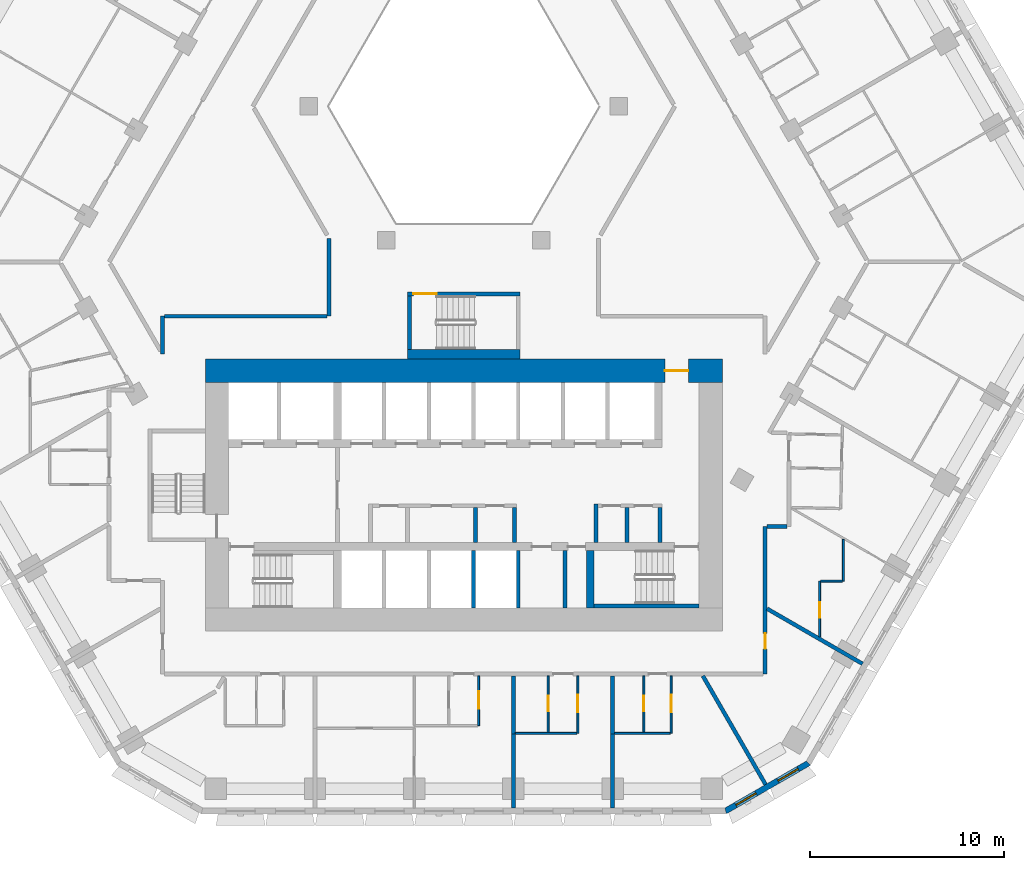
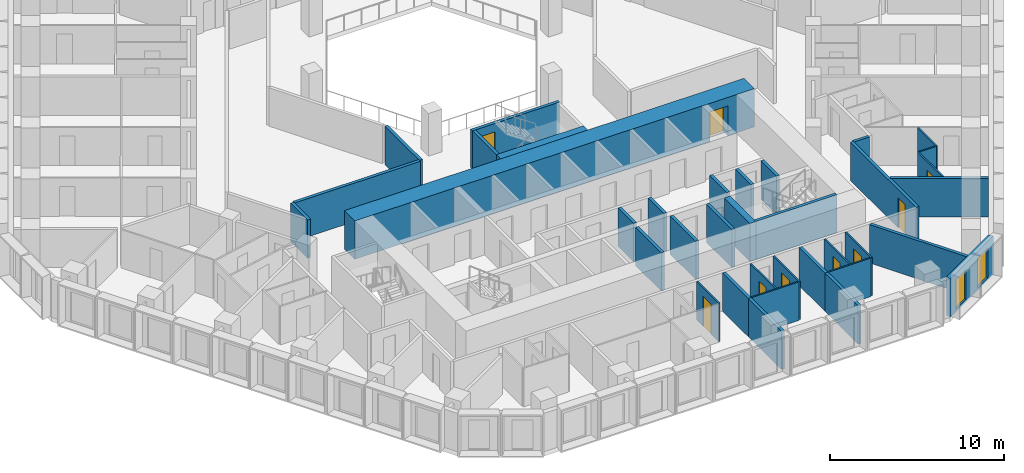
# One storey, part 6 of 21: 36 walls, 9 doors, 2 windows, 11 openings.
"""IFC4 building model written with IfcOpenShell, lengths in metres."""

from ifc_helpers import new_model, si_unit, direction, frame, frame_2d, origin, place, context, subcontext, project, spatial, polyline, rectangle, outline, extrude, material, layer, layer_set, type_object, element, fill, save


model = new_model("IFC4")

# Units and contexts
model_context = context("Model", 3, precision=1e-05, world=origin(), true_north=direction((0.0, 1.0)))
body_context = subcontext(model_context, "Body", "Model", "MODEL_VIEW")
ifc_project = project(units=[si_unit("LENGTHUNIT", "METRE"), si_unit("AREAUNIT", "SQUARE_METRE"), si_unit("VOLUMEUNIT", "CUBIC_METRE"), si_unit("PLANEANGLEUNIT", "RADIAN"), si_unit("MASSUNIT", "GRAM", prefix="KILO")], contexts=[model_context])

# Site, building, storey
site_placement = place(None, origin())
site = spatial("IfcSite", under=ifc_project, at=site_placement, CompositionType="ELEMENT")
building_placement = place(site_placement, origin())
building = spatial("IfcBuilding", under=site, at=building_placement, Name="Beryl Residences", CompositionType="ELEMENT")
storey_placement = place(building_placement, frame((0.0, 0.0, 29.39990234375)))
storey = spatial("IfcBuildingStorey", under=building, at=storey_placement, Name="L08", CompositionType="ELEMENT", Elevation=29.39990234375)

# Wall, openings, windows
ifc_material_1 = material(Name="Composite metal panel with mineral wool insulation")
ifc_layer_1 = layer(ifc_material_1, 0.300048828125)
ifc_layer_set_1 = layer_set([ifc_layer_1], Name="ES1 pale metal composite panel wall 300 mm")
wall_type_1 = type_object("IfcWallType", Name="ES1 pale metal composite panel wall 300 mm", PredefinedType="SOLIDWALL", material=ifc_layer_set_1)
wall_1_placement = place(storey_placement, frame((13.43505859375, -28.27001953125, 0.0), z_axis=(0.0, 0.0, 1.0), x_axis=(0.866010750942, 0.50002537861, 0.0)))
wall_1 = element("IfcWall", 1, at=wall_1_placement, inside=storey, type_object=wall_type_1, Name="ES1 external wall L08 S-SE", PredefinedType="SOLIDWALL", context=body_context, shape_type="SweptSolid", body=[
    extrude(outline(polyline([(0.0, -0.14990234375), (4.999755859375, -0.14990234375), (4.91943359375, 0.14990234375), (0.080322265625, 0.14990234375), (0.0, -0.14990234375)])), origin(), (0.0, 0.0, 1.0), 2.7001953125),
])
opening_1_placement = place(wall_1_placement, frame((0.64990234375, 0.0, 0.14990234375)))
opening_1 = element("IfcOpeningElement", 2, at=opening_1_placement, cuts=wall_1, Name="Opening W2", PredefinedType="OPENING", context=body_context, shape_type="SweptSolid", body=[
    extrude(rectangle(XDim=1.199951171875, YDim=2.10009765625, at=frame_2d((0.60009765625, 1.050048828125))), frame((0.0, 0.159912109375, 0.0), z_axis=(0.0, -1.0, 0.0), x_axis=(1.0, 0.0, 0.0)), (0.0, 0.0, 1.0), 0.320068359375),
])
opening_2_placement = place(wall_1_placement, frame((3.14892578125, 0.0, 0.14990234375)))
opening_2 = element("IfcOpeningElement", 3, at=opening_2_placement, cuts=wall_1, Name="Opening W2", PredefinedType="OPENING", context=body_context, shape_type="SweptSolid", body=[
    extrude(rectangle(XDim=1.199951171875, YDim=2.10009765625, at=frame_2d((0.60009765625, 1.050048828125))), frame((0.0, 0.159912109375, 0.0), z_axis=(0.0, -1.0, 0.0), x_axis=(1.0, 0.0, 0.0)), (0.0, 0.0, 1.0), 0.320068359375),
])
ifc_material_2 = material(Name="Aluminium and clear glass", Category="aluminium")
window_type = type_object("IfcWindowType", Name="W2 chamfer window 1200 x 2100 mm", PartitioningType="SINGLE_PANEL", PredefinedType="WINDOW", material=ifc_material_2)
window_1_placement = place(opening_1_placement, origin())
window_1 = element("IfcWindow", 4, at=window_1_placement, inside=storey, type_object=window_type, Name="W2 window L08 S-SE 1", OverallHeight=2.10009765625, OverallWidth=1.199951171875, PartitioningType="SINGLE_PANEL", PredefinedType="WINDOW", context=body_context, shape_type="SweptSolid", body=[
    extrude(rectangle(XDim=1.199951171875, YDim=2.10009765625, at=frame_2d((0.60009765625, 1.050048828125))), frame((0.0, 0.030029296875, 0.0), z_axis=(0.0, -1.0, 0.0), x_axis=(1.0, 0.0, 0.0)), (0.0, 0.0, 1.0), 0.06005859375),
])
fill(opening_1, window_1)
window_2_placement = place(opening_2_placement, origin())
window_2 = element("IfcWindow", 5, at=window_2_placement, inside=storey, type_object=window_type, Name="W2 window L08 S-SE 2", OverallHeight=2.10009765625, OverallWidth=1.199951171875, PartitioningType="SINGLE_PANEL", PredefinedType="WINDOW", context=body_context, shape_type="SweptSolid", body=[
    extrude(rectangle(XDim=1.199951171875, YDim=2.10009765625, at=frame_2d((0.60009765625, 1.050048828125))), frame((0.0, 0.030029296875, 0.0), z_axis=(0.0, -1.0, 0.0), x_axis=(1.0, 0.0, 0.0)), (0.0, 0.0, 1.0), 0.06005859375),
])
fill(opening_2, window_2)

# Walls
ifc_material_3 = material(Name="Gypsum board partition on steel studs", Category="steel")
ifc_layer_2 = layer(ifc_material_3, 0.10009765625)
ifc_layer_set_2 = layer_set([ifc_layer_2], Name="PT1 partition 100 mm gypsum board on steel studs")
wall_type_2 = type_object("IfcWallType", Name="PT1 partition 100 mm gypsum board on steel studs", PredefinedType="PARTITIONING", material=ifc_layer_set_2)
wall_2_placement = place(storey_placement, frame((18.35009765625, -16.424072265625, 0.0), z_axis=(0.0, 0.0, 1.0), x_axis=(1.0, 0.0, 0.0)))
element("IfcWall", 6, at=wall_2_placement, inside=storey, type_object=wall_type_2, Name="Wall PT1 L08 026", PredefinedType="PARTITIONING", context=body_context, shape_type="SweptSolid", body=[
    extrude(rectangle(XDim=1.126953125, YDim=0.10009765625, at=frame_2d((0.5634765625, 0.0))), origin(), (0.0, 0.0, 1.0), 2.7001953125),
])
wall_3_placement = place(storey_placement, frame((2.653076171875, -24.260009765625, 0.0), z_axis=(0.0, 0.0, 1.0), x_axis=(1.0, 0.0, 0.0)))
element("IfcWall", 7, at=wall_3_placement, inside=storey, type_object=wall_type_2, Name="Wall PT1 L08 030", PredefinedType="PARTITIONING", context=body_context, shape_type="SweptSolid", body=[
    extrude(rectangle(XDim=3.1669921875, YDim=0.10009765625, at=frame_2d((1.58349609375, 0.0))), origin(), (0.0, 0.0, 1.0), 2.7001953125),
])
wall_4_placement = place(storey_placement, frame((7.757080078125, -24.260009765625, 0.0), z_axis=(0.0, 0.0, 1.0), x_axis=(1.0, 0.0, 0.0)))
element("IfcWall", 8, at=wall_4_placement, inside=storey, type_object=wall_type_2, Name="Wall PT1 L08 031", PredefinedType="PARTITIONING", context=body_context, shape_type="SweptSolid", body=[
    extrude(rectangle(XDim=2.85791015625, YDim=0.10009765625, at=frame_2d((1.428955078125, 0.0))), origin(), (0.0, 0.0, 1.0), 2.7001953125),
])

# Wall, opening, door
wall_5_placement = place(storey_placement, frame((4.339111328125, -24.2099609375, 0.0), z_axis=(0.0, 0.0, 1.0), x_axis=(0.0, 1.0, 0.0)))
wall_5 = element("IfcWall", 9, at=wall_5_placement, inside=storey, type_object=wall_type_2, Name="Wall PT1 L08 043", PredefinedType="PARTITIONING", context=body_context, shape_type="SweptSolid", body=[
    extrude(rectangle(XDim=2.909912109375, YDim=0.10009765625, at=frame_2d((1.455078125, 0.0))), origin(), (0.0, 0.0, 1.0), 2.7001953125),
])
opening_3_placement = place(wall_5_placement, frame((1.080078125, 0.0, 0.0)))
opening_3 = element("IfcOpeningElement", 10, at=opening_3_placement, cuts=wall_5, Name="Opening D0111", PredefinedType="OPENING", context=body_context, shape_type="SweptSolid", body=[
    extrude(rectangle(XDim=0.800048828125, YDim=2.10009765625, at=frame_2d((0.39990234375, 1.050048828125))), frame((0.0, 0.06005859375, 0.0), z_axis=(0.0, -1.0, 0.0), x_axis=(1.0, 0.0, 0.0)), (0.0, 0.0, 1.0), 0.1201171875),
])
ifc_material_4 = material(Name="Timber door leaf", Category="wood")
door_type_1 = type_object("IfcDoorType", Name="D3 bathroom door 800 x 2100 mm", OperationType="SINGLE_SWING_LEFT", PredefinedType="DOOR", material=ifc_material_4)
door_1_placement = place(opening_3_placement, origin())
door_1 = element("IfcDoor", 11, at=door_1_placement, inside=storey, type_object=door_type_1, Name="Door D0111 L08 001", OperationType="SINGLE_SWING_LEFT", OverallHeight=2.10009765625, OverallWidth=0.800048828125, PredefinedType="DOOR", context=body_context, shape_type="SweptSolid", body=[
    extrude(rectangle(XDim=0.800048828125, YDim=2.10009765625, at=frame_2d((0.39990234375, 1.050048828125))), frame((0.0, 0.02490234375, 0.0), z_axis=(0.0, -1.0, 0.0), x_axis=(1.0, 0.0, 0.0)), (0.0, 0.0, 1.0), 0.050048828125),
])
fill(opening_3, door_1)

wall_6_placement = place(storey_placement, frame((5.87109375, -24.259033203125, 0.0), z_axis=(0.0, 0.0, 1.0), x_axis=(0.0, 1.0, 0.0)))
wall_6 = element("IfcWall", 12, at=wall_6_placement, inside=storey, type_object=wall_type_2, Name="Wall PT1 L08 044", PredefinedType="PARTITIONING", context=body_context, shape_type="SweptSolid", body=[
    extrude(rectangle(XDim=2.958984375, YDim=0.10009765625, at=frame_2d((1.4794921875, 0.0))), origin(), (0.0, 0.0, 1.0), 2.7001953125),
])
opening_4_placement = place(wall_6_placement, frame((1.0791015625, 0.0, 0.0)))
opening_4 = element("IfcOpeningElement", 13, at=opening_4_placement, cuts=wall_6, Name="Opening D0110", PredefinedType="OPENING", context=body_context, shape_type="SweptSolid", body=[
    extrude(rectangle(XDim=0.89990234375, YDim=2.10009765625, at=frame_2d((0.449951171875, 1.050048828125))), frame((0.0, 0.06005859375, 0.0), z_axis=(0.0, -1.0, 0.0), x_axis=(1.0, 0.0, 0.0)), (0.0, 0.0, 1.0), 0.1201171875),
])
ifc_material_5 = material(Name="Timber door leaf", Category="wood")
door_type_2 = type_object("IfcDoorType", Name="D2 room door 900 x 2100 mm", OperationType="SINGLE_SWING_LEFT", PredefinedType="DOOR", material=ifc_material_5)
door_2_placement = place(opening_4_placement, origin())
door_2 = element("IfcDoor", 14, at=door_2_placement, inside=storey, type_object=door_type_2, Name="Door D0110 L08 001", OperationType="SINGLE_SWING_RIGHT", OverallHeight=2.10009765625, OverallWidth=0.89990234375, PredefinedType="DOOR", context=body_context, shape_type="SweptSolid", body=[
    extrude(rectangle(XDim=0.89990234375, YDim=2.10009765625, at=frame_2d((0.449951171875, 1.050048828125))), frame((0.0, 0.02490234375, 0.0), z_axis=(0.0, -1.0, 0.0), x_axis=(1.0, 0.0, 0.0)), (0.0, 0.0, 1.0), 0.050048828125),
])
fill(opening_4, door_2)

wall_7_placement = place(storey_placement, frame((0.76708984375, -23.85888671875, 0.0), z_axis=(0.0, 0.0, 1.0), x_axis=(0.0, 1.0, 0.0)))
wall_7 = element("IfcWall", 15, at=wall_7_placement, inside=storey, type_object=wall_type_2, Name="Wall PT1 L08 048", PredefinedType="PARTITIONING", context=body_context, shape_type="SweptSolid", body=[
    extrude(rectangle(XDim=2.558837890625, YDim=0.10009765625, at=frame_2d((1.279296875, 0.0))), origin(), (0.0, 0.0, 1.0), 2.7001953125),
])
opening_5_placement = place(wall_7_placement, frame((0.87890625, 0.0, 0.0)))
opening_5 = element("IfcOpeningElement", 16, at=opening_5_placement, cuts=wall_7, Name="Opening D0105", PredefinedType="OPENING", context=body_context, shape_type="SweptSolid", body=[
    extrude(rectangle(XDim=0.89990234375, YDim=2.10009765625, at=frame_2d((0.449951171875, 1.050048828125))), frame((0.0, 0.06005859375, 0.0), z_axis=(0.0, -1.0, 0.0), x_axis=(1.0, 0.0, 0.0)), (0.0, 0.0, 1.0), 0.1201171875),
])
door_3_placement = place(opening_5_placement, origin())
door_3 = element("IfcDoor", 17, at=door_3_placement, inside=storey, type_object=door_type_2, Name="Door D0105 L08 001", OperationType="SINGLE_SWING_LEFT", OverallHeight=2.10009765625, OverallWidth=0.89990234375, PredefinedType="DOOR", context=body_context, shape_type="SweptSolid", body=[
    extrude(rectangle(XDim=0.89990234375, YDim=2.10009765625, at=frame_2d((0.449951171875, 1.050048828125))), frame((0.0, 0.02490234375, 0.0), z_axis=(0.0, -1.0, 0.0), x_axis=(1.0, 0.0, 0.0)), (0.0, 0.0, 1.0), 0.050048828125),
])
fill(opening_5, door_3)

wall_8_placement = place(storey_placement, frame((9.26611328125, -24.2099609375, 0.0), z_axis=(0.0, 0.0, 1.0), x_axis=(0.0, 1.0, 0.0)))
wall_8 = element("IfcWall", 18, at=wall_8_placement, inside=storey, type_object=wall_type_2, Name="Wall PT1 L08 049", PredefinedType="PARTITIONING", context=body_context, shape_type="SweptSolid", body=[
    extrude(rectangle(XDim=2.909912109375, YDim=0.10009765625, at=frame_2d((1.455078125, 0.0))), origin(), (0.0, 0.0, 1.0), 2.7001953125),
])
opening_6_placement = place(wall_8_placement, frame((1.080078125, 0.0, 0.0)))
opening_6 = element("IfcOpeningElement", 19, at=opening_6_placement, cuts=wall_8, Name="Opening D0114", PredefinedType="OPENING", context=body_context, shape_type="SweptSolid", body=[
    extrude(rectangle(XDim=0.800048828125, YDim=2.10009765625, at=frame_2d((0.39990234375, 1.050048828125))), frame((0.0, 0.06005859375, 0.0), z_axis=(0.0, -1.0, 0.0), x_axis=(1.0, 0.0, 0.0)), (0.0, 0.0, 1.0), 0.1201171875),
])
door_4_placement = place(opening_6_placement, origin())
door_4 = element("IfcDoor", 20, at=door_4_placement, inside=storey, type_object=door_type_1, Name="Door D0114 L08 001", OperationType="SINGLE_SWING_RIGHT", OverallHeight=2.10009765625, OverallWidth=0.800048828125, PredefinedType="DOOR", context=body_context, shape_type="SweptSolid", body=[
    extrude(rectangle(XDim=0.800048828125, YDim=2.10009765625, at=frame_2d((0.39990234375, 1.050048828125))), frame((0.0, 0.02490234375, 0.0), z_axis=(0.0, -1.0, 0.0), x_axis=(1.0, 0.0, 0.0)), (0.0, 0.0, 1.0), 0.050048828125),
])
fill(opening_6, door_4)

wall_9_placement = place(storey_placement, frame((10.666015625, -24.259033203125, 0.0), z_axis=(0.0, 0.0, 1.0), x_axis=(0.0, 1.0, 0.0)))
wall_9 = element("IfcWall", 21, at=wall_9_placement, inside=storey, type_object=wall_type_2, Name="Wall PT1 L08 050", PredefinedType="PARTITIONING", context=body_context, shape_type="SweptSolid", body=[
    extrude(rectangle(XDim=2.958984375, YDim=0.10009765625, at=frame_2d((1.4794921875, 0.0))), origin(), (0.0, 0.0, 1.0), 2.7001953125),
])
opening_7_placement = place(wall_9_placement, frame((1.0791015625, 0.0, 0.0)))
opening_7 = element("IfcOpeningElement", 22, at=opening_7_placement, cuts=wall_9, Name="Opening D0113", PredefinedType="OPENING", context=body_context, shape_type="SweptSolid", body=[
    extrude(rectangle(XDim=0.89990234375, YDim=2.10009765625, at=frame_2d((0.449951171875, 1.050048828125))), frame((0.0, 0.06005859375, 0.0), z_axis=(0.0, -1.0, 0.0), x_axis=(1.0, 0.0, 0.0)), (0.0, 0.0, 1.0), 0.1201171875),
])
door_5_placement = place(opening_7_placement, origin())
door_5 = element("IfcDoor", 23, at=door_5_placement, inside=storey, type_object=door_type_2, Name="Door D0113 L08 001", OperationType="SINGLE_SWING_LEFT", OverallHeight=2.10009765625, OverallWidth=0.89990234375, PredefinedType="DOOR", context=body_context, shape_type="SweptSolid", body=[
    extrude(rectangle(XDim=0.89990234375, YDim=2.10009765625, at=frame_2d((0.449951171875, 1.050048828125))), frame((0.0, 0.02490234375, 0.0), z_axis=(0.0, -1.0, 0.0), x_axis=(1.0, 0.0, 0.0)), (0.0, 0.0, 1.0), 0.050048828125),
])
fill(opening_7, door_5)

wall_10_placement = place(storey_placement, frame((18.300048828125, -19.2890625, 0.0), z_axis=(0.0, 0.0, 1.0), x_axis=(0.0, 1.0, 0.0)))
wall_10 = element("IfcWall", 24, at=wall_10_placement, inside=storey, type_object=wall_type_2, Name="Wall PT1 L08 051", PredefinedType="PARTITIONING", context=body_context, shape_type="SweptSolid", body=[
    extrude(rectangle(XDim=2.864990234375, YDim=0.10009765625, at=frame_2d((1.4326171875, 0.0))), origin(), (0.0, 0.0, 1.0), 2.7001953125),
])
opening_8_placement = place(wall_10_placement, frame((0.97509765625, 0.0, 0.0)))
opening_8 = element("IfcOpeningElement", 25, at=opening_8_placement, cuts=wall_10, Name="Opening D0121", PredefinedType="OPENING", context=body_context, shape_type="SweptSolid", body=[
    extrude(rectangle(XDim=0.800048828125, YDim=2.10009765625, at=frame_2d((0.39990234375, 1.050048828125))), frame((0.0, 0.06005859375, 0.0), z_axis=(0.0, -1.0, 0.0), x_axis=(1.0, 0.0, 0.0)), (0.0, 0.0, 1.0), 0.1201171875),
])
door_6_placement = place(opening_8_placement, origin())
door_6 = element("IfcDoor", 26, at=door_6_placement, inside=storey, type_object=door_type_1, Name="Door D0121 L08 001", OperationType="SINGLE_SWING_LEFT", OverallHeight=2.10009765625, OverallWidth=0.800048828125, PredefinedType="DOOR", context=body_context, shape_type="SweptSolid", body=[
    extrude(rectangle(XDim=0.800048828125, YDim=2.10009765625, at=frame_2d((0.39990234375, 1.050048828125))), frame((0.0, 0.02490234375, 0.0), z_axis=(0.0, -1.0, 0.0), x_axis=(1.0, 0.0, 0.0)), (0.0, 0.0, 1.0), 0.050048828125),
])
fill(opening_8, door_6)

# Walls
wall_11_placement = place(storey_placement, frame((19.528076171875, -16.423095703125, 0.0), z_axis=(0.0, 0.0, 1.0), x_axis=(0.0, 1.0, 0.0)))
element("IfcWall", 27, at=wall_11_placement, inside=storey, type_object=wall_type_2, Name="Wall PT1 L08 052", PredefinedType="PARTITIONING", context=body_context, shape_type="SweptSolid", body=[
    extrude(rectangle(XDim=2.14599609375, YDim=0.10009765625, at=frame_2d((1.072998046875, 0.0))), origin(), (0.0, 0.0, 1.0), 2.7001953125),
])
ifc_material_6 = material(Name="Concrete masonry", Category="masonry")
ifc_layer_3 = layer(ifc_material_6, 0.199951171875)
ifc_layer_set_3 = layer_set([ifc_layer_3], Name="PT13 lobby wall 200 mm")
wall_type_3 = type_object("IfcWallType", Name="PT13 lobby wall 200 mm", PredefinedType="PARTITIONING", material=ifc_layer_set_3)
wall_12_placement = place(storey_placement, frame((2.60009765625, -14.449951171875, 0.0), z_axis=(0.0, 0.0, 1.0), x_axis=(0.0, 1.0, 0.0)))
element("IfcWall", 28, at=wall_12_placement, inside=storey, type_object=wall_type_3, Name="Lobby wall 17", PredefinedType="PARTITIONING", context=body_context, shape_type="SweptSolid", body=[
    extrude(rectangle(XDim=1.800048828125, YDim=0.199951171875, at=frame_2d((0.89990234375, 0.0))), origin(), (0.0, 0.0, 1.0), 2.7001953125),
])
wall_13_placement = place(storey_placement, frame((6.800048828125, -14.449951171875, 0.0), z_axis=(0.0, 0.0, 1.0), x_axis=(0.0, 1.0, 0.0)))
element("IfcWall", 29, at=wall_13_placement, inside=storey, type_object=wall_type_3, Name="Lobby wall 23", PredefinedType="PARTITIONING", context=body_context, shape_type="SweptSolid", body=[
    extrude(rectangle(XDim=2.0, YDim=0.199951171875, at=frame_2d((1.0, 0.0))), origin(), (0.0, 0.0, 1.0), 2.7001953125),
])
wall_14_placement = place(storey_placement, frame((10.10009765625, -14.449951171875, 0.0), z_axis=(0.0, 0.0, 1.0), x_axis=(0.0, 1.0, 0.0)))
element("IfcWall", 30, at=wall_14_placement, inside=storey, type_object=wall_type_3, Name="Lobby wall 27", PredefinedType="PARTITIONING", context=body_context, shape_type="SweptSolid", body=[
    extrude(rectangle(XDim=1.800048828125, YDim=0.199951171875, at=frame_2d((0.89990234375, 0.0))), origin(), (0.0, 0.0, 1.0), 2.7001953125),
])
ifc_material_7 = material(Name="Acoustic double stud gypsum board wall")
ifc_layer_4 = layer(ifc_material_7, 0.199951171875)
ifc_layer_set_4 = layer_set([ifc_layer_4], Name="PT3 party wall 200 mm acoustic double stud")
wall_type_4 = type_object("IfcWallType", Name="PT3 party wall 200 mm acoustic double stud", PredefinedType="PARTITIONING", material=ifc_layer_set_4)
wall_15_placement = place(storey_placement, frame((12.297119140625, -21.300048828125, 0.0), z_axis=(0.0, 0.0, 1.0), x_axis=(0.500056399578, -0.865992839024, 0.0)))
element("IfcWall", 31, at=wall_15_placement, inside=storey, type_object=wall_type_4, Name="Wall PT3 L08 002", PredefinedType="PARTITIONING", context=body_context, shape_type="SweptSolid", body=[
    extrude(rectangle(XDim=6.454833984375, YDim=0.199951171875, at=frame_2d((3.2275390625, 0.0))), origin(), (0.0, 0.0, 1.0), 2.7001953125),
])
for number, where, z_axis, x_axis, name in (
    (32, (7.656982421875, -21.300048828125, 0.0), (0.0, 0.0, 1.0), (0.0, -1.0, 0.0), "Wall PT3 L08 006"),
    (33, (2.552978515625, -21.300048828125, 0.0), (0.0, 0.0, 1.0), (0.0, -1.0, 0.0), "Wall PT3 L08 007"),
):
    element("IfcWall", number, at=place(storey_placement, frame(where, z_axis=z_axis, x_axis=x_axis)), inside=storey, type_object=wall_type_4, Name=name, PredefinedType="PARTITIONING", context=body_context, shape_type="SweptSolid", body=[
        extrude(rectangle(XDim=2.97998046875, YDim=0.199951171875, at=frame_2d((1.489990234375, 0.0))), origin(), (0.0, 0.0, 1.0), 2.7001953125),
    ])
wall_16_placement = place(storey_placement, frame((15.60009765625, -17.845947265625, 0.0), z_axis=(0.0, 0.0, 1.0), x_axis=(0.866071523686, -0.499920109479, 0.0)))
element("IfcWall", 34, at=wall_16_placement, inside=storey, type_object=wall_type_4, Name="Wall PT3 L08 008", PredefinedType="PARTITIONING", context=body_context, shape_type="SweptSolid", body=[
    extrude(rectangle(XDim=5.6669921875, YDim=0.199951171875, at=frame_2d((2.83349609375, 0.0))), origin(), (0.0, 0.0, 1.0), 2.7001953125),
])
for number, where, z_axis, x_axis, name in (
    (35, (7.656982421875, -28.10009765625, 0.0), (0.0, 0.0, 1.0), (0.0, 1.0, 0.0), "Wall PT3 L08 016"),
    (36, (2.552978515625, -28.10009765625, 0.0), (0.0, 0.0, 1.0), (0.0, 1.0, 0.0), "Wall PT3 L08 017"),
):
    element("IfcWall", number, at=place(storey_placement, frame(where, z_axis=z_axis, x_axis=x_axis)), inside=storey, type_object=wall_type_4, Name=name, PredefinedType="PARTITIONING", context=body_context, shape_type="SweptSolid", body=[
        extrude(rectangle(XDim=3.860107421875, YDim=0.199951171875, at=frame_2d((1.93017578125, 0.0))), origin(), (0.0, 0.0, 1.0), 2.7001953125),
    ])
ifc_material_8 = material(Name="Double stud gypsum board wall")
ifc_layer_5 = layer(ifc_material_8, 0.199951171875)
ifc_layer_set_5 = layer_set([ifc_layer_5], Name="PT4 corridor wall 200 mm double stud")
wall_type_5 = type_object("IfcWallType", Name="PT4 corridor wall 200 mm double stud", PredefinedType="PARTITIONING", material=ifc_layer_set_5)
wall_17_placement = place(storey_placement, frame((15.60009765625, -13.6240234375, 0.0), z_axis=(0.0, 0.0, 1.0), x_axis=(1.0, 0.0, 0.0)))
element("IfcWall", 37, at=wall_17_placement, inside=storey, type_object=wall_type_5, Name="Wall PT4 L08 010", PredefinedType="PARTITIONING", context=body_context, shape_type="SweptSolid", body=[
    extrude(rectangle(XDim=1.02685546875, YDim=0.199951171875, at=frame_2d((0.513427734375, 0.0))), origin(), (0.0, 0.0, 1.0), 2.7001953125),
])
wall_18_placement = place(storey_placement, frame((-15.39990234375, -2.800048828125, 0.0), z_axis=(0.0, 0.0, 1.0), x_axis=(1.0, 0.0, 0.0)))
element("IfcWall", 38, at=wall_18_placement, inside=storey, type_object=wall_type_5, Name="Wall PT4 L08 013", PredefinedType="PARTITIONING", context=body_context, shape_type="SweptSolid", body=[
    extrude(rectangle(XDim=8.371826171875, YDim=0.199951171875, at=frame_2d((4.18603515625, 0.0))), origin(), (0.0, 0.0, 1.0), 2.7001953125),
])

# Wall, opening, door
wall_19_placement = place(storey_placement, frame((15.5, -21.198974609375, 0.0), z_axis=(0.0, 0.0, 1.0), x_axis=(0.0, 1.0, 0.0)))
wall_19 = element("IfcWall", 39, at=wall_19_placement, inside=storey, type_object=wall_type_5, Name="Wall PT4 L08 026", PredefinedType="PARTITIONING", context=body_context, shape_type="SweptSolid", body=[
    extrude(rectangle(XDim=7.574951171875, YDim=0.199951171875, at=frame_2d((3.78759765625, 0.0))), origin(), (0.0, 0.0, 1.0), 2.7001953125),
])
opening_9_placement = place(wall_19_placement, frame((1.2880859375, 0.0, 0.0)))
opening_9 = element("IfcOpeningElement", 40, at=opening_9_placement, cuts=wall_19, Name="Opening D0115", PredefinedType="OPENING", context=body_context, shape_type="SweptSolid", body=[
    extrude(rectangle(XDim=0.800048828125, YDim=2.10009765625, at=frame_2d((0.39990234375, 1.050048828125))), frame((0.0, 0.10986328125, 0.0), z_axis=(0.0, -1.0, 0.0), x_axis=(1.0, 0.0, 0.0)), (0.0, 0.0, 1.0), 0.219970703125),
])
door_7_placement = place(opening_9_placement, origin())
door_7 = element("IfcDoor", 41, at=door_7_placement, inside=storey, type_object=door_type_1, Name="Door D0115 L08 001", OperationType="SINGLE_SWING_LEFT", OverallHeight=2.10009765625, OverallWidth=0.800048828125, PredefinedType="DOOR", context=body_context, shape_type="SweptSolid", body=[
    extrude(rectangle(XDim=0.800048828125, YDim=2.10009765625, at=frame_2d((0.39990234375, 1.050048828125))), frame((0.0, 0.02490234375, 0.0), z_axis=(0.0, -1.0, 0.0), x_axis=(1.0, 0.0, 0.0)), (0.0, 0.0, 1.0), 0.050048828125),
])
fill(opening_9, door_7)

# Walls
wall_20_placement = place(storey_placement, frame((-6.927978515625, -2.800048828125, 0.0), z_axis=(0.0, 0.0, 1.0), x_axis=(0.0, 1.0, 0.0)))
element("IfcWall", 42, at=wall_20_placement, inside=storey, type_object=wall_type_5, Name="Wall PT4 L08 029", PredefinedType="PARTITIONING", context=body_context, shape_type="SweptSolid", body=[
    extrude(rectangle(XDim=4.0, YDim=0.199951171875, at=frame_2d((2.0, 0.0))), origin(), (0.0, 0.0, 1.0), 2.7001953125),
])
wall_21_placement = place(storey_placement, frame((-15.5, -4.75390625, 0.0), z_axis=(0.0, 0.0, 1.0), x_axis=(0.0, 1.0, 0.0)))
element("IfcWall", 43, at=wall_21_placement, inside=storey, type_object=wall_type_5, Name="Wall PT4 L08 031", PredefinedType="PARTITIONING", context=body_context, shape_type="SweptSolid", body=[
    extrude(rectangle(XDim=1.953857421875, YDim=0.199951171875, at=frame_2d((0.97705078125, 0.0))), origin(), (0.0, 0.0, 1.0), 2.7001953125),
])

# Wall, opening, door
ifc_material_9 = material(Name="Concrete C40/50", Category="concrete")
ifc_layer_6 = layer(ifc_material_9, 0.199951171875)
ifc_layer_set_6 = layer_set([ifc_layer_6], Name="PT5 stair enclosure wall 200 mm reinforced concrete C40/50")
wall_type_6 = type_object("IfcWallType", Name="PT5 stair enclosure wall 200 mm reinforced concrete C40/50", PredefinedType="SOLIDWALL", material=ifc_layer_set_6)
wall_22_placement = place(storey_placement, frame((-2.89990234375, -1.64990234375, 0.0), z_axis=(0.0, 0.0, 1.0), x_axis=(1.0, 0.0, 0.0)))
wall_22 = element("IfcWall", 44, at=wall_22_placement, inside=storey, type_object=wall_type_6, Name="Wall PT5 L08 001", PredefinedType="SOLIDWALL", context=body_context, shape_type="SweptSolid", body=[
    extrude(rectangle(XDim=5.7998046875, YDim=0.199951171875, at=frame_2d((2.89990234375, 0.0))), origin(), (0.0, 0.0, 1.0), 2.7001953125),
])
opening_10_placement = place(wall_22_placement, frame((0.300048828125, 0.0, 0.0)))
opening_10 = element("IfcOpeningElement", 45, at=opening_10_placement, cuts=wall_22, Name="Opening DS04", PredefinedType="OPENING", context=body_context, shape_type="SweptSolid", body=[
    extrude(rectangle(XDim=1.199951171875, YDim=2.10009765625, at=frame_2d((0.60009765625, 1.050048828125))), frame((0.0, 0.10986328125, 0.0), z_axis=(0.0, -1.0, 0.0), x_axis=(1.0, 0.0, 0.0)), (0.0, 0.0, 1.0), 0.219970703125),
])
ifc_material_10 = material(Name="Steel door leaf in steel frame", Category="steel")
door_type_3 = type_object("IfcDoorType", Name="D4 stair door 1200 x 2100 mm", OperationType="SINGLE_SWING_LEFT", PredefinedType="DOOR", material=ifc_material_10)
door_8_placement = place(opening_10_placement, origin())
door_8 = element("IfcDoor", 46, at=door_8_placement, inside=storey, type_object=door_type_3, Name="Door DS04 L08 001", OperationType="SINGLE_SWING_LEFT", OverallHeight=2.10009765625, OverallWidth=1.199951171875, PredefinedType="DOOR", context=body_context, shape_type="SweptSolid", body=[
    extrude(rectangle(XDim=1.199951171875, YDim=2.10009765625, at=frame_2d((0.60009765625, 1.050048828125))), frame((0.0, 0.02490234375, 0.0), z_axis=(0.0, -1.0, 0.0), x_axis=(1.0, 0.0, 0.0)), (0.0, 0.0, 1.0), 0.050048828125),
])
fill(opening_10, door_8)

# Walls
wall_23_placement = place(storey_placement, frame((-2.800048828125, -4.5, 0.0), z_axis=(0.0, 0.0, 1.0), x_axis=(0.0, 1.0, 0.0)))
element("IfcWall", 47, at=wall_23_placement, inside=storey, type_object=wall_type_6, Name="Wall PT5 L08 002", PredefinedType="SOLIDWALL", context=body_context, shape_type="SweptSolid", body=[
    extrude(rectangle(XDim=2.75, YDim=0.199951171875, at=frame_2d((1.375, 0.0))), origin(), (0.0, 0.0, 1.0), 2.7001953125),
])
wall_24_placement = place(storey_placement, frame((6.699951171875, -17.699951171875, 0.0), z_axis=(0.0, 0.0, 1.0), x_axis=(1.0, 0.0, 0.0)))
element("IfcWall", 48, at=wall_24_placement, inside=storey, type_object=wall_type_6, Name="Stair wall 22", PredefinedType="SOLIDWALL", context=body_context, shape_type="SweptSolid", body=[
    extrude(rectangle(XDim=5.400146484375, YDim=0.199951171875, at=frame_2d((2.7001953125, 0.0))), origin(), (0.0, 0.0, 1.0), 2.7001953125),
])
ifc_material_11 = material(Name="Concrete C40/50", Category="concrete")
ifc_layer_7 = layer(ifc_material_11, 0.5)
ifc_layer_set_7 = layer_set([ifc_layer_7], Name="PT5-500 stair enclosure wall 500 mm")
wall_type_7 = type_object("IfcWallType", Name="PT5-500 stair enclosure wall 500 mm", PredefinedType="SOLIDWALL", material=ifc_layer_set_7)
wall_25_placement = place(storey_placement, frame((-2.89990234375, -4.75, 0.0), z_axis=(0.0, 0.0, 1.0), x_axis=(1.0, 0.0, 0.0)))
element("IfcWall", 49, at=wall_25_placement, inside=storey, type_object=wall_type_7, Name="Wall PT5-500 L08 001", PredefinedType="SOLIDWALL", context=body_context, shape_type="SweptSolid", body=[
    extrude(rectangle(XDim=5.7998046875, YDim=0.5, at=frame_2d((2.89990234375, 0.0))), origin(), (0.0, 0.0, 1.0), 2.7001953125),
])
ifc_material_12 = material(Name="Concrete C40/50", Category="concrete")
ifc_layer_8 = layer(ifc_material_12, 0.199951171875)
ifc_layer_set_8 = layer_set([ifc_layer_8], Name="PT6 lift shaft wall 200 mm reinforced concrete C40/50")
wall_type_8 = type_object("IfcWallType", Name="PT6 lift shaft wall 200 mm reinforced concrete C40/50", PredefinedType="SOLIDWALL", material=ifc_layer_set_8)
for number, where, z_axis, x_axis, name in (
    (50, (0.5, -17.800048828125, 0.0), (0.0, 0.0, 1.0), (0.0, 1.0, 0.0), "Lift shaft wall 14"),
    (51, (2.800048828125, -17.800048828125, 0.0), (0.0, 0.0, 1.0), (0.0, 1.0, 0.0), "Lift shaft wall 18"),
):
    element("IfcWall", number, at=place(storey_placement, frame(where, z_axis=z_axis, x_axis=x_axis)), inside=storey, type_object=wall_type_8, Name=name, PredefinedType="SOLIDWALL", context=body_context, shape_type="SweptSolid", body=[
        extrude(rectangle(XDim=2.949951171875, YDim=0.199951171875, at=frame_2d((1.47509765625, 0.0))), origin(), (0.0, 0.0, 1.0), 2.7001953125),
    ])
ifc_material_13 = material(Name="Concrete masonry", Category="masonry")
ifc_layer_9 = layer(ifc_material_13, 0.199951171875)
ifc_layer_set_9 = layer_set([ifc_layer_9], Name="PT7-200 riser wall 200 mm")
wall_type_9 = type_object("IfcWallType", Name="PT7-200 riser wall 200 mm", PredefinedType="PARTITIONING", material=ifc_layer_set_9)
wall_26_placement = place(storey_placement, frame((5.199951171875, -17.800048828125, 0.0), z_axis=(0.0, 0.0, 1.0), x_axis=(0.0, 1.0, 0.0)))
element("IfcWall", 52, at=wall_26_placement, inside=storey, type_object=wall_type_9, Name="Riser wall 21", PredefinedType="PARTITIONING", context=body_context, shape_type="SweptSolid", body=[
    extrude(rectangle(XDim=2.949951171875, YDim=0.199951171875, at=frame_2d((1.47509765625, 0.0))), origin(), (0.0, 0.0, 1.0), 2.7001953125),
])
ifc_material_14 = material(Name="Concrete masonry", Category="masonry")
ifc_layer_10 = layer(ifc_material_14, 0.199951171875)
ifc_layer_set_10 = layer_set([ifc_layer_10], Name="PT8-200 service room wall 200 mm")
wall_type_10 = type_object("IfcWallType", Name="PT8-200 service room wall 200 mm", PredefinedType="PARTITIONING", material=ifc_layer_set_10)
for number, where, z_axis, x_axis, name in (
    (53, (0.60009765625, -14.449951171875, 0.0), (0.0, 0.0, 1.0), (0.0, 1.0, 0.0), "Core room wall 16"),
    (54, (8.39990234375, -14.449951171875, 0.0), (0.0, 0.0, 1.0), (0.0, 1.0, 0.0), "Core room wall 26"),
):
    element("IfcWall", number, at=place(storey_placement, frame(where, z_axis=z_axis, x_axis=x_axis)), inside=storey, type_object=wall_type_10, Name=name, PredefinedType="PARTITIONING", context=body_context, shape_type="SweptSolid", body=[
        extrude(rectangle(XDim=1.800048828125, YDim=0.199951171875, at=frame_2d((0.89990234375, 0.0))), origin(), (0.0, 0.0, 1.0), 2.7001953125),
    ])

# Wall, opening, door
ifc_material_15 = material(Name="Concrete C80/95", Category="concrete")
ifc_layer_11 = layer(ifc_material_15, 1.199951171875)
ifc_layer_set_11 = layer_set([ifc_layer_11], Name="SW1 core outer wall 1200 mm C80/95")
wall_type_11 = type_object("IfcWallType", Name="SW1 core outer wall 1200 mm C80/95", PredefinedType="SHEAR", material=ifc_layer_set_11)
wall_27_placement = place(storey_placement, frame((-13.300048828125, -5.60009765625, 0.0), z_axis=(0.0, 0.0, 1.0), x_axis=(1.0, 0.0, 0.0)))
wall_27 = element("IfcWall", 55, at=wall_27_placement, inside=storey, type_object=wall_type_11, Name="Core wall N L08", PredefinedType="SHEAR", context=body_context, shape_type="SweptSolid", body=[
    extrude(rectangle(XDim=26.60009765625, YDim=1.199951171875, at=frame_2d((13.300048828125, 0.0))), origin(), (0.0, 0.0, 1.0), 2.7001953125),
])
opening_11_placement = place(wall_27_placement, frame((23.64990234375, 0.0, 0.0)))
opening_11 = element("IfcOpeningElement", 56, at=opening_11_placement, cuts=wall_27, Name="Opening FD-NORTH", PredefinedType="OPENING", context=body_context, shape_type="SweptSolid", body=[
    extrude(rectangle(XDim=1.199951171875, YDim=2.10009765625, at=frame_2d((0.60009765625, 1.050048828125))), frame((0.0, 0.60986328125, 0.0), z_axis=(0.0, -1.0, 0.0), x_axis=(1.0, 0.0, 0.0)), (0.0, 0.0, 1.0), 1.219970703125),
])
ifc_material_16 = material(Name="Steel door leaf in steel frame", Category="steel")
door_type_4 = type_object("IfcDoorType", Name="D22 lobby door 1200 x 2100 mm", OperationType="DOUBLE_DOOR_SINGLE_SWING", PredefinedType="DOOR", material=ifc_material_16)
door_9_placement = place(opening_11_placement, origin())
door_9 = element("IfcDoor", 57, at=door_9_placement, inside=storey, type_object=door_type_4, Name="Door FD-NORTH L08 001", OperationType="DOUBLE_DOOR_SINGLE_SWING", OverallHeight=2.10009765625, OverallWidth=1.199951171875, PredefinedType="DOOR", context=body_context, shape_type="SweptSolid", body=[
    extrude(rectangle(XDim=1.199951171875, YDim=2.10009765625, at=frame_2d((0.60009765625, 1.050048828125))), frame((0.0, 0.02490234375, 0.0), z_axis=(0.0, -1.0, 0.0), x_axis=(1.0, 0.0, 0.0)), (0.0, 0.0, 1.0), 0.050048828125),
])
fill(opening_11, door_9)

# Wall
ifc_material_17 = material(Name="Concrete C80/95", Category="concrete")
ifc_layer_12 = layer(ifc_material_17, 0.39990234375)
ifc_layer_set_12 = layer_set([ifc_layer_12], Name="SW6 core internal wall 400 mm C80/95")
wall_type_12 = type_object("IfcWallType", Name="SW6 core internal wall 400 mm C80/95", PredefinedType="SHEAR", material=ifc_layer_set_12)
wall_28_placement = place(storey_placement, frame((6.5, -17.800048828125, 0.0), z_axis=(0.0, 0.0, 1.0), x_axis=(0.0, 1.0, 0.0)))
element("IfcWall", 58, at=wall_28_placement, inside=storey, type_object=wall_type_12, Name="Core wall XS2 L08", PredefinedType="SHEAR", context=body_context, shape_type="SweptSolid", body=[
    extrude(rectangle(XDim=2.949951171875, YDim=0.39990234375, at=frame_2d((1.47509765625, 0.0))), origin(), (0.0, 0.0, 1.0), 2.7001953125),
])

save(model, "model.ifc")
